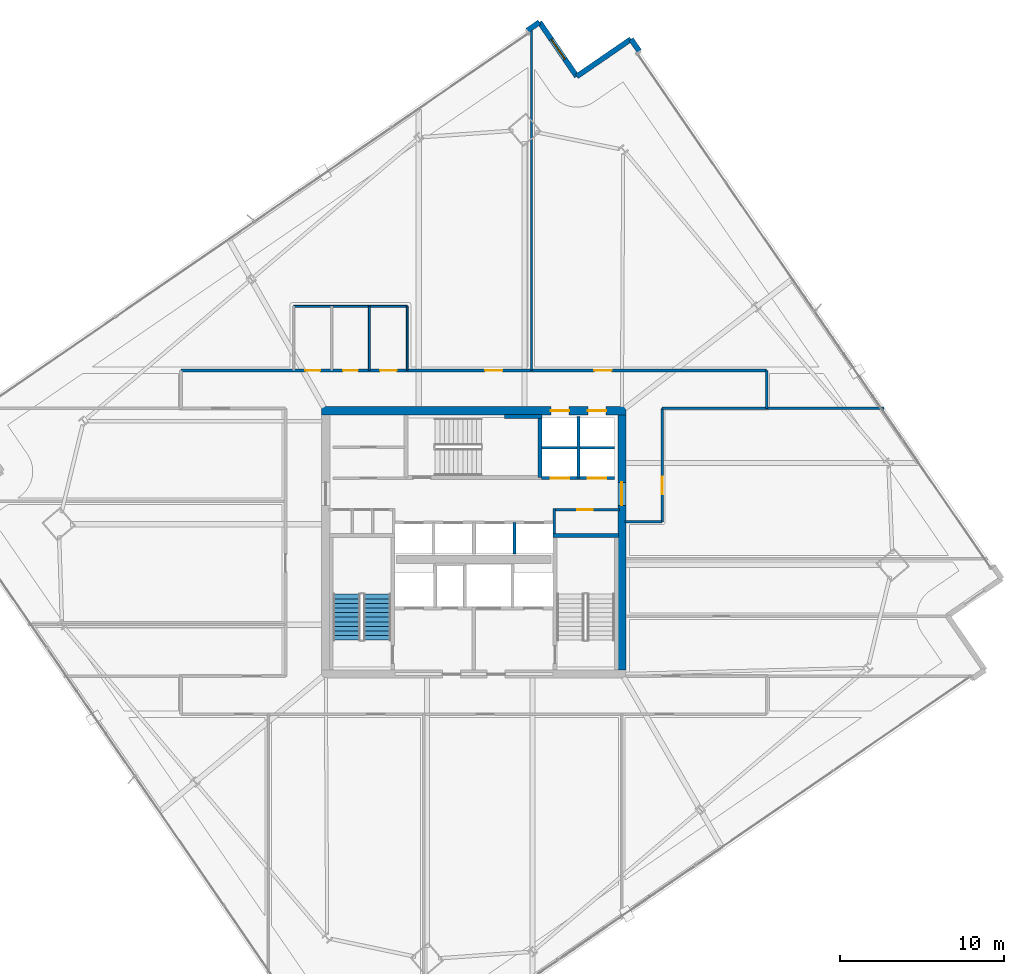
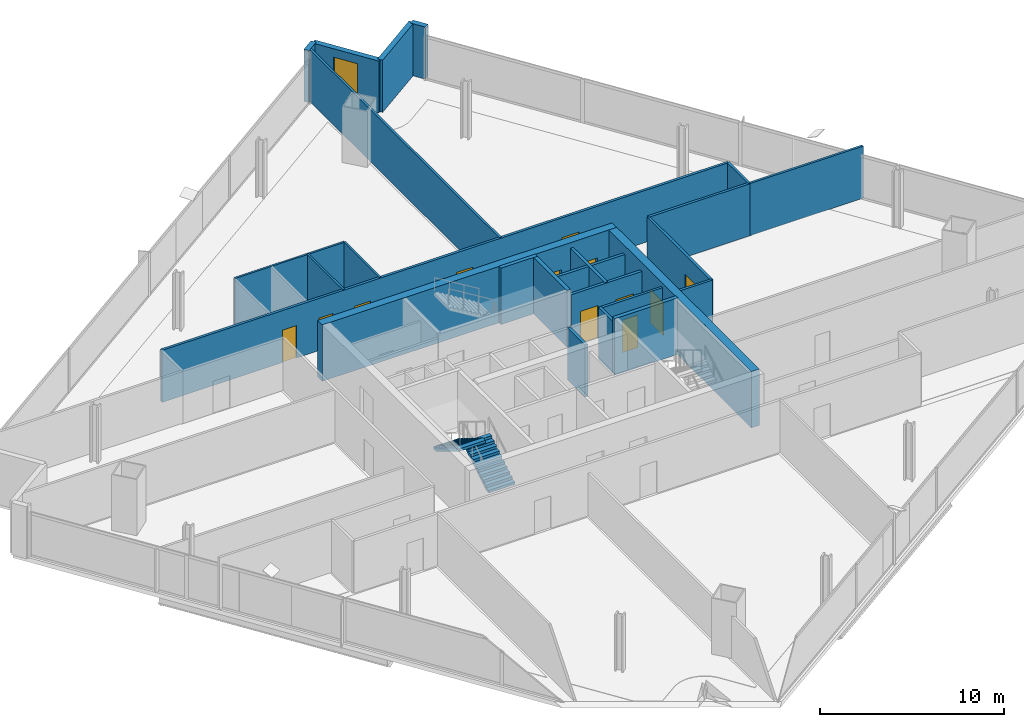
# One storey, part 23 of 29: 25 walls, 12 doors, 2 stair flights, 1 window, 13 openings, 1 element without a shape of its own.
"""IFC4 building model written with IfcOpenShell, lengths in metres."""

from ifc_helpers import new_model, si_unit, direction, frame, frame_2d, origin, place, context, subcontext, project, spatial, polyline, rectangle, outline, extrude, material, layer, layer_set, type_object, element, fill, aggregate, save


model = new_model("IFC4")

# Units and contexts
model_context = context("Model", 3, precision=1e-05, world=origin(), true_north=direction((0.0, 1.0)))
body_context = subcontext(model_context, "Body", "Model", "MODEL_VIEW")
ifc_project = project(units=[si_unit("LENGTHUNIT", "METRE"), si_unit("AREAUNIT", "SQUARE_METRE"), si_unit("VOLUMEUNIT", "CUBIC_METRE"), si_unit("PLANEANGLEUNIT", "RADIAN"), si_unit("MASSUNIT", "GRAM", prefix="KILO")], contexts=[model_context])

# Site, building, storey
site_placement = place(None, origin())
site = spatial("IfcSite", under=ifc_project, at=site_placement, CompositionType="ELEMENT")
building_placement = place(site_placement, origin())
building = spatial("IfcBuilding", under=site, at=building_placement, Name="Haldenkirk Collegiate Tower", CompositionType="ELEMENT")
storey_placement = place(building_placement, frame((0.0, 0.0, 144.449951171875)))
storey = spatial("IfcBuildingStorey", under=building, at=storey_placement, Name="L35", CompositionType="ELEMENT", Elevation=144.449951171875)

# Wall, openings, doors
ifc_material_1 = material(Name="Concrete f'c 55 MPa", Category="concrete")
ifc_layer_1 = layer(ifc_material_1, 0.5)
ifc_layer_set_1 = layer_set([ifc_layer_1], Name="Concrete f'c 55 MPa")
wall_type_1 = type_object("IfcWallType", Name="WL-CORE-500", PredefinedType="SHEAR", material=ifc_layer_set_1)
wall_1_placement = place(storey_placement, frame((26.75, 34.0, 0.0), z_axis=(0.0, 0.0, 1.0), x_axis=(1.0, 0.0, 0.0)))
wall_1 = element("IfcWall", 1, at=wall_1_placement, inside=storey, type_object=wall_type_1, Name="L35 central core shear wall N", PredefinedType="SHEAR", context=body_context, shape_type="SweptSolid", body=[
    extrude(rectangle(XDim=18.5, YDim=0.5, at=frame_2d((9.25, 0.0))), origin(), (0.0, 0.0, 1.0), 3.75),
])
opening_1_placement = place(wall_1_placement, frame((13.93505859375, 0.0, 0.0)))
opening_1 = element("IfcOpeningElement", 2, at=opening_1_placement, cuts=wall_1, Name="Opening LD-11", PredefinedType="OPENING", context=body_context, shape_type="SweptSolid", body=[
    extrude(rectangle(XDim=1.10009765625, YDim=2.14990234375, at=frame_2d((0.550048828125, 1.074951171875))), frame((0.0, 0.260009765625, 0.0), z_axis=(0.0, -1.0, 0.0), x_axis=(1.0, 0.0, 0.0)), (0.0, 0.0, 1.0), 0.52001953125),
])
opening_2_placement = place(wall_1_placement, frame((16.18505859375, 0.0, 0.0)))
opening_2 = element("IfcOpeningElement", 3, at=opening_2_placement, cuts=wall_1, Name="Opening LD-11", PredefinedType="OPENING", context=body_context, shape_type="SweptSolid", body=[
    extrude(rectangle(XDim=1.10009765625, YDim=2.14990234375, at=frame_2d((0.550048828125, 1.074951171875))), frame((0.0, 0.260009765625, 0.0), z_axis=(0.0, -1.0, 0.0), x_axis=(1.0, 0.0, 0.0)), (0.0, 0.0, 1.0), 0.52001953125),
])
ifc_material_2 = material(Name="Brushed architectural stainless steel", Category="steel")
ifc_layer_2 = layer(ifc_material_2, 0.06005859375)
ifc_layer_set_2 = layer_set([ifc_layer_2], Name="Brushed architectural stainless steel")
door_type_1 = type_object("IfcDoorType", Name="LD-PASS-1100", OperationType="NOTDEFINED", PredefinedType="DOOR", material=ifc_layer_set_2)
door_1_placement = place(opening_1_placement, origin())
door_1 = element("IfcDoor", 4, at=door_1_placement, inside=storey, type_object=door_type_1, Name="L35 Elevator PM3 sliding landing door", OperationType="SLIDING_TO_LEFT", OverallHeight=2.14990234375, OverallWidth=1.10009765625, PredefinedType="DOOR", context=body_context, shape_type="SweptSolid", body=[
    extrude(rectangle(XDim=1.10009765625, YDim=2.14990234375, at=frame_2d((0.550048828125, 1.074951171875))), frame((0.0, 0.02490234375, 0.0), z_axis=(0.0, -1.0, 0.0), x_axis=(1.0, 0.0, 0.0)), (0.0, 0.0, 1.0), 0.050048828125),
])
fill(opening_1, door_1)
door_2_placement = place(opening_2_placement, origin())
door_2 = element("IfcDoor", 5, at=door_2_placement, inside=storey, type_object=door_type_1, Name="L35 Elevator PM4 sliding landing door", OperationType="SLIDING_TO_LEFT", OverallHeight=2.14990234375, OverallWidth=1.10009765625, PredefinedType="DOOR", context=body_context, shape_type="SweptSolid", body=[
    extrude(rectangle(XDim=1.10009765625, YDim=2.14990234375, at=frame_2d((0.550048828125, 1.074951171875))), frame((0.0, 0.02490234375, 0.0), z_axis=(0.0, -1.0, 0.0), x_axis=(1.0, 0.0, 0.0)), (0.0, 0.0, 1.0), 0.050048828125),
])
fill(opening_2, door_2)

# Wall, opening, door
wall_2_placement = place(storey_placement, frame((45.0, 18.25, 0.0), z_axis=(0.0, 0.0, 1.0), x_axis=(0.0, 1.0, 0.0)))
wall_2 = element("IfcWall", 6, at=wall_2_placement, inside=storey, type_object=wall_type_1, Name="L35 central core shear wall E", PredefinedType="SHEAR", context=body_context, shape_type="SweptSolid", body=[
    extrude(rectangle(XDim=15.5, YDim=0.5, at=frame_2d((7.75, 0.0))), origin(), (0.0, 0.0, 1.0), 3.75),
])
opening_3_placement = place(wall_2_placement, frame((9.989990234375, 0.0, 0.0)))
opening_3 = element("IfcOpeningElement", 7, at=opening_3_placement, cuts=wall_2, Name="Opening D-03", PredefinedType="OPENING", context=body_context, shape_type="SweptSolid", body=[
    extrude(rectangle(XDim=1.39990234375, YDim=2.199951171875, at=frame_2d((0.699951171875, 1.10009765625))), frame((0.0, 0.260009765625, 0.0), z_axis=(0.0, -1.0, 0.0), x_axis=(1.0, 0.0, 0.0)), (0.0, 0.0, 1.0), 0.52001953125),
])
ifc_material_3 = material(Name="Galvanized fire-rated hollow steel door", Category="steel")
ifc_layer_3 = layer(ifc_material_3, 0.06005859375)
ifc_layer_set_3 = layer_set([ifc_layer_3], Name="Galvanized fire-rated hollow steel door")
door_type_2 = type_object("IfcDoorType", Name="DR-LOBBY-FD90-1400", OperationType="NOTDEFINED", PredefinedType="DOOR", material=ifc_layer_set_3)
door_3_placement = place(opening_3_placement, origin())
door_3 = element("IfcDoor", 8, at=door_3_placement, inside=storey, type_object=door_type_2, Name="L35 east lift lobby portal", OperationType="DOUBLE_DOOR_SINGLE_SWING", OverallHeight=2.199951171875, OverallWidth=1.39990234375, PredefinedType="DOOR", context=body_context, shape_type="SweptSolid", body=[
    extrude(rectangle(XDim=1.39990234375, YDim=2.199951171875, at=frame_2d((0.699951171875, 1.10009765625))), frame((0.0, 0.02490234375, 0.0), z_axis=(0.0, -1.0, 0.0), x_axis=(1.0, 0.0, 0.0)), (0.0, 0.0, 1.0), 0.050048828125),
])
fill(opening_3, door_3)

# Walls
ifc_material_4 = material(Name="Precast concrete f'c 40 MPa", Category="concrete")
ifc_layer_4 = layer(ifc_material_4, 0.320068359375)
ifc_layer_set_4 = layer_set([ifc_layer_4], Name="Precast concrete f'c 40 MPa")
wall_type_2 = type_object("IfcWallType", Name="WL-EXT-TWR-320", PredefinedType="STANDARD", material=ifc_layer_set_4)
wall_3_placement = place(storey_placement, frame((45.552978515625, 56.591064453125, 0.0), z_axis=(0.0, 0.0, 1.0), x_axis=(0.566597887229, -0.823994438202, 0.0)))
element("IfcWall", 9, at=wall_3_placement, inside=storey, type_object=wall_type_2, Name="L35 precast corner pier EL", PredefinedType="STANDARD", context=body_context, shape_type="SweptSolid", body=[
    extrude(rectangle(XDim=0.900146484375, YDim=0.320068359375, at=frame_2d((0.4501953125, 0.0))), origin(), (0.0, 0.0, 1.0), 3.4599609375),
])
wall_4_placement = place(storey_placement, frame((42.256591796875, 54.325439453125, 0.0), z_axis=(0.0, 0.0, 1.0), x_axis=(0.824116715234, 0.566420020543, 0.0)))
element("IfcWall", 10, at=wall_4_placement, inside=storey, type_object=wall_type_2, Name="L35 bronze precast notch wall 05", PredefinedType="STANDARD", context=body_context, shape_type="SweptSolid", body=[
    extrude(rectangle(XDim=4.0, YDim=0.320068359375, at=frame_2d((2.0, 0.0))), origin(), (0.0, 0.0, 1.0), 3.4599609375),
])

# Wall, opening, window
wall_5_placement = place(storey_placement, frame((39.990966796875, 57.6220703125, 0.0), z_axis=(0.0, 0.0, 1.0), x_axis=(0.566391529966, -0.824136296242, 0.0)))
wall_5 = element("IfcWall", 11, at=wall_5_placement, inside=storey, type_object=wall_type_2, Name="L35 bronze precast notch wall 06", PredefinedType="STANDARD", context=body_context, shape_type="SweptSolid", body=[
    extrude(rectangle(XDim=4.0, YDim=0.320068359375, at=frame_2d((2.0, 0.0))), origin(), (0.0, 0.0, 1.0), 3.4599609375),
])
opening_4_placement = place(wall_5_placement, frame((1.27490234375, 0.0, 0.85009765625)))
opening_4 = element("IfcOpeningElement", 12, at=opening_4_placement, cuts=wall_5, Name="Opening W-05", PredefinedType="OPENING", context=body_context, shape_type="SweptSolid", body=[
    extrude(rectangle(XDim=1.449951171875, YDim=2.050048828125, at=frame_2d((0.72509765625, 1.02490234375))), frame((0.0, 0.169921875, 0.0), z_axis=(0.0, -1.0, 0.0), x_axis=(1.0, 0.0, 0.0)), (0.0, 0.0, 1.0), 0.340087890625),
])
ifc_material_5 = material(Name="Low-E argon triple insulating glass", Category="glass")
ifc_layer_5 = layer(ifc_material_5, 0.090087890625)
ifc_layer_set_5 = layer_set([ifc_layer_5], Name="Low-E argon triple insulating glass")
window_type = type_object("IfcWindowType", Name="WN-Z3-1450X2050", PartitioningType="SINGLE_PANEL", PredefinedType="WINDOW", material=ifc_layer_set_5)
window_placement = place(opening_4_placement, origin())
window = element("IfcWindow", 13, at=window_placement, inside=storey, type_object=window_type, Name="L35 precast-frame academic window 5", OverallHeight=2.050048828125, OverallWidth=1.449951171875, PartitioningType="SINGLE_PANEL", PredefinedType="WINDOW", context=body_context, shape_type="SweptSolid", body=[
    extrude(rectangle(XDim=1.449951171875, YDim=2.050048828125, at=frame_2d((0.72509765625, 1.02490234375))), frame((0.0, 0.030029296875, 0.0), z_axis=(0.0, -1.0, 0.0), x_axis=(1.0, 0.0, 0.0)), (0.0, 0.0, 1.0), 0.06005859375),
])
fill(opening_4, window)

# Wall
wall_6_placement = place(storey_placement, frame((39.249267578125, 57.1123046875, 0.0), z_axis=(0.0, 0.0, 1.0), x_axis=(0.824121066824, 0.566413689114, 0.0)))
element("IfcWall", 14, at=wall_6_placement, inside=storey, type_object=wall_type_2, Name="L35 precast corner pier NR", PredefinedType="STANDARD", context=body_context, shape_type="SweptSolid", body=[
    extrude(rectangle(XDim=0.89990234375, YDim=0.320068359375, at=frame_2d((0.449951171875, 0.0))), origin(), (0.0, 0.0, 1.0), 3.4599609375),
])

# Wall, opening, door
ifc_material_6 = material(Name="Acoustic fire-rated gypsum partition", Category="concrete")
ifc_layer_6 = layer(ifc_material_6, 0.159912109375)
ifc_layer_set_6 = layer_set([ifc_layer_6], Name="Acoustic fire-rated gypsum partition")
wall_type_3 = type_object("IfcWallType", Name="WL-INT-CORR-160", PredefinedType="PARTITIONING", material=ifc_layer_set_6)
wall_7_placement = place(storey_placement, frame((40.800048828125, 27.97998046875, 0.0), z_axis=(0.0, 0.0, 1.0), x_axis=(1.0, 0.0, 0.0)))
wall_7 = element("IfcWall", 15, at=wall_7_placement, inside=storey, type_object=wall_type_3, Name="L35 interior partition IW-L35-VCSE-N", PredefinedType="PARTITIONING", context=body_context, shape_type="SweptSolid", body=[
    extrude(rectangle(XDim=4.050048828125, YDim=0.159912109375, at=frame_2d((2.02490234375, 0.0))), origin(), (0.0, 0.0, 1.0), 3.4599609375),
])
opening_5_placement = place(wall_7_placement, frame((1.47509765625, 0.0, 0.0)))
opening_5 = element("IfcOpeningElement", 16, at=opening_5_placement, cuts=wall_7, Name="Opening D-10", PredefinedType="OPENING", context=body_context, shape_type="SweptSolid", body=[
    extrude(rectangle(XDim=0.949951171875, YDim=2.14990234375, at=frame_2d((0.47509765625, 1.074951171875))), frame((0.0, 0.08984375, 0.0), z_axis=(0.0, -1.0, 0.0), x_axis=(1.0, 0.0, 0.0)), (0.0, 0.0, 1.0), 0.179931640625),
])
ifc_material_7 = material(Name="Solid-core architectural oak fire door", Category="wood")
ifc_layer_7 = layer(ifc_material_7, 0.06005859375)
ifc_layer_set_7 = layer_set([ifc_layer_7], Name="Solid-core architectural oak fire door")
door_type_3 = type_object("IfcDoorType", Name="DR-INT-FD60-950", OperationType="NOTDEFINED", PredefinedType="DOOR", material=ifc_layer_set_7)
door_4_placement = place(opening_5_placement, origin())
door_4 = element("IfcDoor", 17, at=door_4_placement, inside=storey, type_object=door_type_3, Name="L35 core archive vault door", OperationType="SINGLE_SWING_RIGHT", OverallHeight=2.14990234375, OverallWidth=0.949951171875, PredefinedType="DOOR", context=body_context, shape_type="SweptSolid", body=[
    extrude(rectangle(XDim=0.949951171875, YDim=2.14990234375, at=frame_2d((0.47509765625, 1.074951171875))), frame((0.0, 0.02490234375, 0.0), z_axis=(0.0, -1.0, 0.0), x_axis=(1.0, 0.0, 0.0)), (0.0, 0.0, 1.0), 0.050048828125),
])
fill(opening_5, door_4)

# Wall
wall_8_placement = place(storey_placement, frame((40.8798828125, 26.5400390625, 0.0), z_axis=(0.0, 0.0, 1.0), x_axis=(0.0, 1.0, 0.0)))
element("IfcWall", 18, at=wall_8_placement, inside=storey, type_object=wall_type_3, Name="L35 interior partition IW-L35-VCSE-W", PredefinedType="PARTITIONING", context=body_context, shape_type="SweptSolid", body=[
    extrude(rectangle(XDim=1.510009765625, YDim=0.159912109375, at=frame_2d((0.7548828125, 0.0))), origin(), (0.0, 0.0, 1.0), 3.4599609375),
])

# Wall, openings, doors
wall_9_placement = place(storey_placement, frame((18.199951171875, 36.449951171875, 0.0), z_axis=(0.0, 0.0, 1.0), x_axis=(1.0, 0.0, 0.0)))
wall_9 = element("IfcWall", 19, at=wall_9_placement, inside=storey, type_object=wall_type_3, Name="L35 interior partition IW-L35-CN", PredefinedType="PARTITIONING", context=body_context, shape_type="SweptSolid", body=[
    extrude(rectangle(XDim=35.60009765625, YDim=0.159912109375, at=frame_2d((17.800048828125, 0.0))), origin(), (0.0, 0.0, 1.0), 3.4599609375),
])
opening_6_placement = place(wall_9_placement, frame((7.550048828125, 0.0, 0.0)))
opening_6 = element("IfcOpeningElement", 20, at=opening_6_placement, cuts=wall_9, Name="Opening D-13", PredefinedType="OPENING", context=body_context, shape_type="SweptSolid", body=[
    extrude(rectangle(XDim=0.89990234375, YDim=2.14990234375, at=frame_2d((0.449951171875, 1.074951171875))), frame((0.0, 0.08984375, 0.0), z_axis=(0.0, -1.0, 0.0), x_axis=(1.0, 0.0, 0.0)), (0.0, 0.0, 1.0), 0.179931640625),
])
opening_7_placement = place(wall_9_placement, frame((9.85009765625, 0.0, 0.0)))
opening_7 = element("IfcOpeningElement", 21, at=opening_7_placement, cuts=wall_9, Name="Opening D-13", PredefinedType="OPENING", context=body_context, shape_type="SweptSolid", body=[
    extrude(rectangle(XDim=0.89990234375, YDim=2.14990234375, at=frame_2d((0.449951171875, 1.074951171875))), frame((0.0, 0.08984375, 0.0), z_axis=(0.0, -1.0, 0.0), x_axis=(1.0, 0.0, 0.0)), (0.0, 0.0, 1.0), 0.179931640625),
])
opening_8_placement = place(wall_9_placement, frame((12.10009765625, 0.0, 0.0)))
opening_8 = element("IfcOpeningElement", 22, at=opening_8_placement, cuts=wall_9, Name="Opening D-14", PredefinedType="OPENING", context=body_context, shape_type="SweptSolid", body=[
    extrude(rectangle(XDim=1.0, YDim=2.14990234375, at=frame_2d((0.5, 1.074951171875))), frame((0.0, 0.08984375, 0.0), z_axis=(0.0, -1.0, 0.0), x_axis=(1.0, 0.0, 0.0)), (0.0, 0.0, 1.0), 0.179931640625),
])
opening_9_placement = place(wall_9_placement, frame((18.485107421875, 0.0, 0.0)))
opening_9 = element("IfcOpeningElement", 23, at=opening_9_placement, cuts=wall_9, Name="Opening D-09", PredefinedType="OPENING", context=body_context, shape_type="SweptSolid", body=[
    extrude(rectangle(XDim=1.050048828125, YDim=2.14990234375, at=frame_2d((0.52490234375, 1.074951171875))), frame((0.0, 0.08984375, 0.0), z_axis=(0.0, -1.0, 0.0), x_axis=(1.0, 0.0, 0.0)), (0.0, 0.0, 1.0), 0.179931640625),
])
opening_10_placement = place(wall_9_placement, frame((25.125, 0.0, 0.0)))
opening_10 = element("IfcOpeningElement", 24, at=opening_10_placement, cuts=wall_9, Name="Opening D-09", PredefinedType="OPENING", context=body_context, shape_type="SweptSolid", body=[
    extrude(rectangle(XDim=1.050048828125, YDim=2.14990234375, at=frame_2d((0.52490234375, 1.074951171875))), frame((0.0, 0.08984375, 0.0), z_axis=(0.0, -1.0, 0.0), x_axis=(1.0, 0.0, 0.0)), (0.0, 0.0, 1.0), 0.179931640625),
])
ifc_layer_8 = layer(ifc_material_7, 0.06005859375)
ifc_layer_set_8 = layer_set([ifc_layer_8], Name="Solid-core architectural oak fire door")
door_type_4 = type_object("IfcDoorType", Name="DR-INT-ACC-1000", OperationType="NOTDEFINED", PredefinedType="DOOR", material=ifc_layer_set_8)
door_5_placement = place(opening_8_placement, origin())
door_5 = element("IfcDoor", 25, at=door_5_placement, inside=storey, type_object=door_type_4, Name="L35 Accessible WC door", OperationType="SINGLE_SWING_LEFT", OverallHeight=2.14990234375, OverallWidth=1.0, PredefinedType="DOOR", context=body_context, shape_type="SweptSolid", body=[
    extrude(rectangle(XDim=1.0, YDim=2.14990234375, at=frame_2d((0.5, 1.074951171875))), frame((0.0, 0.02490234375, 0.0), z_axis=(0.0, -1.0, 0.0), x_axis=(1.0, 0.0, 0.0)), (0.0, 0.0, 1.0), 0.050048828125),
])
fill(opening_8, door_5)
ifc_layer_9 = layer(ifc_material_7, 0.06005859375)
ifc_layer_set_9 = layer_set([ifc_layer_9], Name="Solid-core architectural oak fire door")
door_type_5 = type_object("IfcDoorType", Name="DR-INT-FD60-1050", OperationType="NOTDEFINED", PredefinedType="DOOR", material=ifc_layer_set_9)
door_6_placement = place(opening_9_placement, origin())
door_6 = element("IfcDoor", 26, at=door_6_placement, inside=storey, type_object=door_type_5, Name="L35 Departmental Office 5 door", OperationType="SINGLE_SWING_RIGHT", OverallHeight=2.14990234375, OverallWidth=1.050048828125, PredefinedType="DOOR", context=body_context, shape_type="SweptSolid", body=[
    extrude(rectangle(XDim=1.050048828125, YDim=2.14990234375, at=frame_2d((0.52490234375, 1.074951171875))), frame((0.0, 0.02490234375, 0.0), z_axis=(0.0, -1.0, 0.0), x_axis=(1.0, 0.0, 0.0)), (0.0, 0.0, 1.0), 0.050048828125),
])
fill(opening_9, door_6)
door_7_placement = place(opening_10_placement, origin())
door_7 = element("IfcDoor", 27, at=door_7_placement, inside=storey, type_object=door_type_5, Name="L35 Curator Office 6 door", OperationType="SINGLE_SWING_LEFT", OverallHeight=2.14990234375, OverallWidth=1.050048828125, PredefinedType="DOOR", context=body_context, shape_type="SweptSolid", body=[
    extrude(rectangle(XDim=1.050048828125, YDim=2.14990234375, at=frame_2d((0.52490234375, 1.074951171875))), frame((0.0, 0.02490234375, 0.0), z_axis=(0.0, -1.0, 0.0), x_axis=(1.0, 0.0, 0.0)), (0.0, 0.0, 1.0), 0.050048828125),
])
fill(opening_10, door_7)
ifc_layer_10 = layer(ifc_material_7, 0.06005859375)
ifc_layer_set_10 = layer_set([ifc_layer_10], Name="Solid-core architectural oak fire door")
door_type_6 = type_object("IfcDoorType", Name="DR-INT-STD-900", OperationType="NOTDEFINED", PredefinedType="DOOR", material=ifc_layer_set_10)
door_8_placement = place(opening_6_placement, origin())
door_8 = element("IfcDoor", 28, at=door_8_placement, inside=storey, type_object=door_type_6, Name="L35 Male WC door", OperationType="SINGLE_SWING_LEFT", OverallHeight=2.14990234375, OverallWidth=0.89990234375, PredefinedType="DOOR", context=body_context, shape_type="SweptSolid", body=[
    extrude(rectangle(XDim=0.89990234375, YDim=2.14990234375, at=frame_2d((0.449951171875, 1.074951171875))), frame((0.0, 0.02490234375, 0.0), z_axis=(0.0, -1.0, 0.0), x_axis=(1.0, 0.0, 0.0)), (0.0, 0.0, 1.0), 0.050048828125),
])
fill(opening_6, door_8)
door_9_placement = place(opening_7_placement, origin())
door_9 = element("IfcDoor", 29, at=door_9_placement, inside=storey, type_object=door_type_6, Name="L35 Female WC door", OperationType="SINGLE_SWING_RIGHT", OverallHeight=2.14990234375, OverallWidth=0.89990234375, PredefinedType="DOOR", context=body_context, shape_type="SweptSolid", body=[
    extrude(rectangle(XDim=0.89990234375, YDim=2.14990234375, at=frame_2d((0.449951171875, 1.074951171875))), frame((0.0, 0.02490234375, 0.0), z_axis=(0.0, -1.0, 0.0), x_axis=(1.0, 0.0, 0.0)), (0.0, 0.0, 1.0), 0.050048828125),
])
fill(opening_7, door_9)

# Wall
wall_10_placement = place(storey_placement, frame((47.449951171875, 34.14990234375, 0.0), z_axis=(0.0, 0.0, 1.0), x_axis=(1.0, 0.0, 0.0)))
element("IfcWall", 30, at=wall_10_placement, inside=storey, type_object=wall_type_3, Name="L35 interior partition IW-L35-CNE", PredefinedType="PARTITIONING", context=body_context, shape_type="SweptSolid", body=[
    extrude(rectangle(XDim=6.35009765625, YDim=0.159912109375, at=frame_2d((3.175048828125, 0.0))), origin(), (0.0, 0.0, 1.0), 3.4599609375),
])

# Wall, opening, door
wall_11_placement = place(storey_placement, frame((47.449951171875, 27.25, 0.0), z_axis=(0.0, 0.0, 1.0), x_axis=(0.0, 1.0, 0.0)))
wall_11 = element("IfcWall", 31, at=wall_11_placement, inside=storey, type_object=wall_type_3, Name="L35 interior partition IW-L35-CE", PredefinedType="PARTITIONING", context=body_context, shape_type="SweptSolid", body=[
    extrude(rectangle(XDim=6.89990234375, YDim=0.159912109375, at=frame_2d((3.449951171875, 0.0))), origin(), (0.0, 0.0, 1.0), 3.4599609375),
])
opening_11_placement = place(wall_11_placement, frame((1.68310546875, 0.0, 0.0)))
opening_11 = element("IfcOpeningElement", 32, at=opening_11_placement, cuts=wall_11, Name="Opening D-09", PredefinedType="OPENING", context=body_context, shape_type="SweptSolid", body=[
    extrude(rectangle(XDim=1.050048828125, YDim=2.14990234375, at=frame_2d((0.52490234375, 1.074951171875))), frame((0.0, 0.08984375, 0.0), z_axis=(0.0, -1.0, 0.0), x_axis=(1.0, 0.0, 0.0)), (0.0, 0.0, 1.0), 0.179931640625),
])
door_10_placement = place(opening_11_placement, origin())
door_10 = element("IfcDoor", 33, at=door_10_placement, inside=storey, type_object=door_type_5, Name="L35 Curator Office 12 door", OperationType="SINGLE_SWING_LEFT", OverallHeight=2.14990234375, OverallWidth=1.050048828125, PredefinedType="DOOR", context=body_context, shape_type="SweptSolid", body=[
    extrude(rectangle(XDim=1.050048828125, YDim=2.14990234375, at=frame_2d((0.52490234375, 1.074951171875))), frame((0.0, 0.02490234375, 0.0), z_axis=(0.0, -1.0, 0.0), x_axis=(1.0, 0.0, 0.0)), (0.0, 0.0, 1.0), 0.050048828125),
])
fill(opening_11, door_10)

# Walls
wall_12_placement = place(storey_placement, frame((45.199951171875, 27.25, 0.0), z_axis=(0.0, 0.0, 1.0), x_axis=(1.0, 0.0, 0.0)))
element("IfcWall", 34, at=wall_12_placement, inside=storey, type_object=wall_type_3, Name="L35 interior partition IW-L35-CES", PredefinedType="PARTITIONING", context=body_context, shape_type="SweptSolid", body=[
    extrude(rectangle(XDim=2.25, YDim=0.159912109375, at=frame_2d((1.125, 0.0))), origin(), (0.0, 0.0, 1.0), 3.4599609375),
])
wall_13_placement = place(storey_placement, frame((53.800048828125, 34.14990234375, 0.0), z_axis=(0.0, 0.0, 1.0), x_axis=(0.0, 1.0, 0.0)))
element("IfcWall", 35, at=wall_13_placement, inside=storey, type_object=wall_type_3, Name="L35 interior partition IW-L35-CNR", PredefinedType="PARTITIONING", context=body_context, shape_type="SweptSolid", body=[
    extrude(rectangle(XDim=2.300048828125, YDim=0.159912109375, at=frame_2d((1.14990234375, 0.0))), origin(), (0.0, 0.0, 1.0), 3.4599609375),
])
ifc_layer_11 = layer(ifc_material_6, 0.139892578125)
ifc_layer_set_11 = layer_set([ifc_layer_11], Name="Acoustic fire-rated gypsum partition")
wall_type_4 = type_object("IfcWallType", Name="WL-INT-DIV-140", PredefinedType="PARTITIONING", material=ifc_layer_set_11)
wall_14_placement = place(storey_placement, frame((53.800048828125, 34.14990234375, 0.0), z_axis=(0.0, 0.0, 1.0), x_axis=(1.0, 0.0, 0.0)))
element("IfcWall", 36, at=wall_14_placement, inside=storey, type_object=wall_type_4, Name="L35 interior partition IW-L35-BEN", PredefinedType="PARTITIONING", context=body_context, shape_type="SweptSolid", body=[
    extrude(rectangle(XDim=7.1279296875, YDim=0.139892578125, at=frame_2d((3.56396484375, 0.0))), origin(), (0.0, 0.0, 1.0), 3.4599609375),
])
wall_15_placement = place(storey_placement, frame((39.5, 36.449951171875, 0.0), z_axis=(0.0, 0.0, 1.0), x_axis=(0.0, 1.0, 0.0)))
element("IfcWall", 37, at=wall_15_placement, inside=storey, type_object=wall_type_4, Name="L35 interior partition IW-L35-RN1", PredefinedType="PARTITIONING", context=body_context, shape_type="SweptSolid", body=[
    extrude(rectangle(XDim=20.7861328125, YDim=0.139892578125, at=frame_2d((10.39306640625, 0.0))), origin(), (0.0, 0.0, 1.0), 3.4599609375),
])

# Wall, openings, doors
ifc_material_8 = material(Name="Fire-rated gypsum shaftboard assembly", Category="concrete")
ifc_layer_12 = layer(ifc_material_8, 0.179931640625)
ifc_layer_set_12 = layer_set([ifc_layer_12], Name="Fire-rated gypsum shaftboard assembly")
wall_type_5 = type_object("IfcWallType", Name="WL-INT-SHAFT-180", PredefinedType="PARTITIONING", material=ifc_layer_set_12)
wall_16_placement = place(storey_placement, frame((40.1201171875, 29.89990234375, 0.0), z_axis=(0.0, 0.0, 1.0), x_axis=(1.0, 0.0, 0.0)))
wall_16 = element("IfcWall", 38, at=wall_16_placement, inside=storey, type_object=wall_type_5, Name="L35 interior partition IW-L35-PMS", PredefinedType="PARTITIONING", context=body_context, shape_type="SweptSolid", body=[
    extrude(rectangle(XDim=4.429931640625, YDim=0.179931640625, at=frame_2d((2.21484375, 0.0))), origin(), (0.0, 0.0, 1.0), 3.4599609375),
])
opening_12_placement = place(wall_16_placement, frame((0.56494140625, 0.0, 0.0)))
opening_12 = element("IfcOpeningElement", 39, at=opening_12_placement, cuts=wall_16, Name="Opening LD-11", PredefinedType="OPENING", context=body_context, shape_type="SweptSolid", body=[
    extrude(rectangle(XDim=1.10009765625, YDim=2.14990234375, at=frame_2d((0.550048828125, 1.074951171875))), frame((0.0, 0.099853515625, 0.0), z_axis=(0.0, -1.0, 0.0), x_axis=(1.0, 0.0, 0.0)), (0.0, 0.0, 1.0), 0.199951171875),
])
opening_13_placement = place(wall_16_placement, frame((2.81494140625, 0.0, 0.0)))
opening_13 = element("IfcOpeningElement", 40, at=opening_13_placement, cuts=wall_16, Name="Opening LD-11", PredefinedType="OPENING", context=body_context, shape_type="SweptSolid", body=[
    extrude(rectangle(XDim=1.10009765625, YDim=2.14990234375, at=frame_2d((0.550048828125, 1.074951171875))), frame((0.0, 0.099853515625, 0.0), z_axis=(0.0, -1.0, 0.0), x_axis=(1.0, 0.0, 0.0)), (0.0, 0.0, 1.0), 0.199951171875),
])
door_11_placement = place(opening_12_placement, origin())
door_11 = element("IfcDoor", 41, at=door_11_placement, inside=storey, type_object=door_type_1, Name="L35 Elevator PM1 sliding landing door", OperationType="SLIDING_TO_LEFT", OverallHeight=2.14990234375, OverallWidth=1.10009765625, PredefinedType="DOOR", context=body_context, shape_type="SweptSolid", body=[
    extrude(rectangle(XDim=1.10009765625, YDim=2.14990234375, at=frame_2d((0.550048828125, 1.074951171875))), frame((0.0, 0.02490234375, 0.0), z_axis=(0.0, -1.0, 0.0), x_axis=(1.0, 0.0, 0.0)), (0.0, 0.0, 1.0), 0.050048828125),
])
fill(opening_12, door_11)
door_12_placement = place(opening_13_placement, origin())
door_12 = element("IfcDoor", 42, at=door_12_placement, inside=storey, type_object=door_type_1, Name="L35 Elevator PM2 sliding landing door", OperationType="SLIDING_TO_LEFT", OverallHeight=2.14990234375, OverallWidth=1.10009765625, PredefinedType="DOOR", context=body_context, shape_type="SweptSolid", body=[
    extrude(rectangle(XDim=1.10009765625, YDim=2.14990234375, at=frame_2d((0.550048828125, 1.074951171875))), frame((0.0, 0.02490234375, 0.0), z_axis=(0.0, -1.0, 0.0), x_axis=(1.0, 0.0, 0.0)), (0.0, 0.0, 1.0), 0.050048828125),
])
fill(opening_13, door_12)

# Walls
wall_17_placement = place(storey_placement, frame((40.1201171875, 31.75, 0.0), z_axis=(0.0, 0.0, 1.0), x_axis=(1.0, 0.0, 0.0)))
element("IfcWall", 43, at=wall_17_placement, inside=storey, type_object=wall_type_5, Name="L35 interior partition IW-L35-PMM", PredefinedType="PARTITIONING", context=body_context, shape_type="SweptSolid", body=[
    extrude(rectangle(XDim=4.429931640625, YDim=0.179931640625, at=frame_2d((2.21484375, 0.0))), origin(), (0.0, 0.0, 1.0), 3.4599609375),
])
wall_18_placement = place(storey_placement, frame((42.3701171875, 29.89990234375, 0.0), z_axis=(0.0, 0.0, 1.0), x_axis=(0.0, 1.0, 0.0)))
element("IfcWall", 44, at=wall_18_placement, inside=storey, type_object=wall_type_5, Name="L35 interior partition IW-L35-PMV", PredefinedType="PARTITIONING", context=body_context, shape_type="SweptSolid", body=[
    extrude(rectangle(XDim=3.75, YDim=0.179931640625, at=frame_2d((1.875, 0.0))), origin(), (0.0, 0.0, 1.0), 3.4599609375),
])
wall_19_placement = place(storey_placement, frame((38.4599609375, 25.300048828125, 0.0), z_axis=(0.0, 0.0, 1.0), x_axis=(0.0, 1.0, 0.0)))
element("IfcWall", 45, at=wall_19_placement, inside=storey, type_object=wall_type_5, Name="L35 interior partition IW-L35-PHV3", PredefinedType="PARTITIONING", context=body_context, shape_type="SweptSolid", body=[
    extrude(rectangle(XDim=1.89990234375, YDim=0.179931640625, at=frame_2d((0.949951171875, 0.0))), origin(), (0.0, 0.0, 1.0), 3.4599609375),
])
ifc_layer_13 = layer(ifc_material_6, 0.1201171875)
ifc_layer_set_13 = layer_set([ifc_layer_13], Name="Acoustic fire-rated gypsum partition")
wall_type_6 = type_object("IfcWallType", Name="WL-INT-WET-120", PredefinedType="PARTITIONING", material=ifc_layer_set_13)
for number, where, z_axis, x_axis, name in (
    (46, (29.64990234375, 36.449951171875, 0.0), (0.0, 0.0, 1.0), (0.0, 1.0, 0.0), "L35 interior partition IW-L35-WC2"),
    (47, (31.949951171875, 36.449951171875, 0.0), (0.0, 0.0, 1.0), (0.0, 1.0, 0.0), "L35 interior partition IW-L35-WCE"),
):
    element("IfcWall", number, at=place(storey_placement, frame(where, z_axis=z_axis, x_axis=x_axis)), inside=storey, type_object=wall_type_6, Name=name, PredefinedType="PARTITIONING", context=body_context, shape_type="SweptSolid", body=[
        extrude(rectangle(XDim=3.900146484375, YDim=0.1201171875, at=frame_2d((1.9501953125, 0.0))), origin(), (0.0, 0.0, 1.0), 3.4599609375),
    ])
wall_20_placement = place(storey_placement, frame((25.050048828125, 40.35009765625, 0.0), z_axis=(0.0, 0.0, 1.0), x_axis=(1.0, 0.0, 0.0)))
element("IfcWall", 48, at=wall_20_placement, inside=storey, type_object=wall_type_6, Name="L35 interior partition IW-L35-WCB", PredefinedType="PARTITIONING", context=body_context, shape_type="SweptSolid", body=[
    extrude(rectangle(XDim=6.89990234375, YDim=0.1201171875, at=frame_2d((3.449951171875, 0.0))), origin(), (0.0, 0.0, 1.0), 3.4599609375),
])
ifc_layer_14 = layer(ifc_material_1, 0.239990234375)
ifc_layer_set_14 = layer_set([ifc_layer_14], Name="Concrete f'c 55 MPa")
wall_type_7 = type_object("IfcWallType", Name="WL-SHAFT-240", PredefinedType="SHEAR", material=ifc_layer_set_14)
wall_21_placement = place(storey_placement, frame((40.81005859375, 26.419921875, 0.0), z_axis=(0.0, 0.0, 1.0), x_axis=(1.0, 0.0, 0.0)))
element("IfcWall", 49, at=wall_21_placement, inside=storey, type_object=wall_type_7, Name="L35 stair shaft shear wall SW-L35-ST2N", PredefinedType="SHEAR", context=body_context, shape_type="SweptSolid", body=[
    extrude(rectangle(XDim=3.97998046875, YDim=0.239990234375, at=frame_2d((1.989990234375, 0.0))), origin(), (0.0, 0.0, 1.0), 3.75),
])
wall_22_placement = place(storey_placement, frame((40.02001953125, 29.929931640625, 0.0), z_axis=(0.0, 0.0, 1.0), x_axis=(0.0, 1.0, 0.0)))
element("IfcWall", 50, at=wall_22_placement, inside=storey, type_object=wall_type_7, Name="L35 stair shaft shear wall SW-L35-ST3E", PredefinedType="SHEAR", context=body_context, shape_type="SweptSolid", body=[
    extrude(rectangle(XDim=3.85009765625, YDim=0.239990234375, at=frame_2d((1.925048828125, 0.0))), origin(), (0.0, 0.0, 1.0), 3.75),
])
wall_23_placement = place(storey_placement, frame((37.85009765625, 33.659912109375, 0.0), z_axis=(0.0, 0.0, 1.0), x_axis=(1.0, 0.0, 0.0)))
element("IfcWall", 51, at=wall_23_placement, inside=storey, type_object=wall_type_7, Name="L35 stair shaft shear wall SW-L35-ST3N", PredefinedType="SHEAR", context=body_context, shape_type="SweptSolid", body=[
    extrude(rectangle(XDim=2.289794921875, YDim=0.239990234375, at=frame_2d((1.14501953125, 0.0))), origin(), (0.0, 0.0, 1.0), 3.75),
])

# Stair, stair flights
ifc_material_9 = material(Name="Concrete f'c 40 MPa", Category="concrete")
stair_type = type_object("IfcStairType", Name="STR-DOGLEG-1650", PredefinedType="HALF_TURN_STAIR", material=ifc_material_9)
stair_placement = place(storey_placement, origin())
stair = element("IfcStair", 52, at=stair_placement, inside=storey, type_object=stair_type, Name="L35 Core Exit Stair ST-1", PredefinedType="HALF_TURN_STAIR")
stair_flight_type = type_object("IfcStairFlightType", Name="STF-FLIGHT-1650", PredefinedType="STRAIGHT", material=ifc_material_9)
stair_flight_1_placement = place(storey_placement, frame((30.125, 20.050048828125, 0.0), z_axis=(0.0, 0.0, 1.0), x_axis=(0.0, 1.0, 0.0)))
stair_flight_1 = element("IfcStairFlight", 53, at=stair_flight_1_placement, type_object=stair_flight_type, Name="ST-1 flight 1", NumberOfRisers=11, NumberOfTreads=10, PredefinedType="STRAIGHT", RiserHeight=0.170454545, TreadLength=0.28, context=body_context, shape_type="SweptSolid", body=[
    extrude(outline(polyline([(0.0, 0.0), (0.0, 0.17041015625), (0.280029296875, 0.17041015625), (0.280029296875, 0.3408203125), (0.56005859375, 0.3408203125), (0.56005859375, 0.511474609375), (0.840087890625, 0.511474609375), (0.840087890625, 0.681884765625), (1.1201171875, 0.681884765625), (1.1201171875, 0.852294921875), (1.39990234375, 0.852294921875), (1.39990234375, 1.022705078125), (1.679931640625, 1.022705078125), (1.679931640625, 1.193115234375), (1.9599609375, 1.193115234375), (1.9599609375, 1.363525390625), (2.239990234375, 1.363525390625), (2.239990234375, 1.5341796875), (2.52001953125, 1.5341796875), (2.52001953125, 1.70458984375), (2.800048828125, 1.70458984375), (2.800048828125, 1.875), (2.800048828125, 1.529052734375), (0.288330078125, 0.0), (0.0, 0.0)])), frame((0.0, 0.824951171875, 0.0), z_axis=(0.0, -1.0, 0.0), x_axis=(1.0, 0.0, 0.0)), (0.0, 0.0, 1.0), 1.64990234375),
])
stair_flight_2_placement = place(storey_placement, frame((28.27490234375, 22.85009765625, 1.875), z_axis=(0.0, 0.0, 1.0), x_axis=(0.0, -1.0, 0.0)))
stair_flight_2 = element("IfcStairFlight", 54, at=stair_flight_2_placement, type_object=stair_flight_type, Name="ST-1 flight 2", NumberOfRisers=11, NumberOfTreads=10, PredefinedType="STRAIGHT", RiserHeight=0.170454545, TreadLength=0.28, context=body_context, shape_type="SweptSolid", body=[
    extrude(outline(polyline([(0.0, 0.0), (0.0, 0.17041015625), (0.280029296875, 0.17041015625), (0.280029296875, 0.3408203125), (0.56005859375, 0.3408203125), (0.56005859375, 0.511474609375), (0.840087890625, 0.511474609375), (0.840087890625, 0.681884765625), (1.1201171875, 0.681884765625), (1.1201171875, 0.852294921875), (1.39990234375, 0.852294921875), (1.39990234375, 1.022705078125), (1.679931640625, 1.022705078125), (1.679931640625, 1.193115234375), (1.9599609375, 1.193115234375), (1.9599609375, 1.363525390625), (2.239990234375, 1.363525390625), (2.239990234375, 1.5341796875), (2.52001953125, 1.5341796875), (2.52001953125, 1.70458984375), (2.800048828125, 1.70458984375), (2.800048828125, 1.875), (2.800048828125, 1.529052734375), (0.288330078125, 0.0), (0.0, 0.0)])), frame((0.0, 0.824951171875, 0.0), z_axis=(0.0, -1.0, 0.0), x_axis=(1.0, 0.0, 0.0)), (0.0, 0.0, 1.0), 1.64990234375),
])
aggregate(stair, [stair_flight_1, stair_flight_2])

save(model, "model.ifc")
